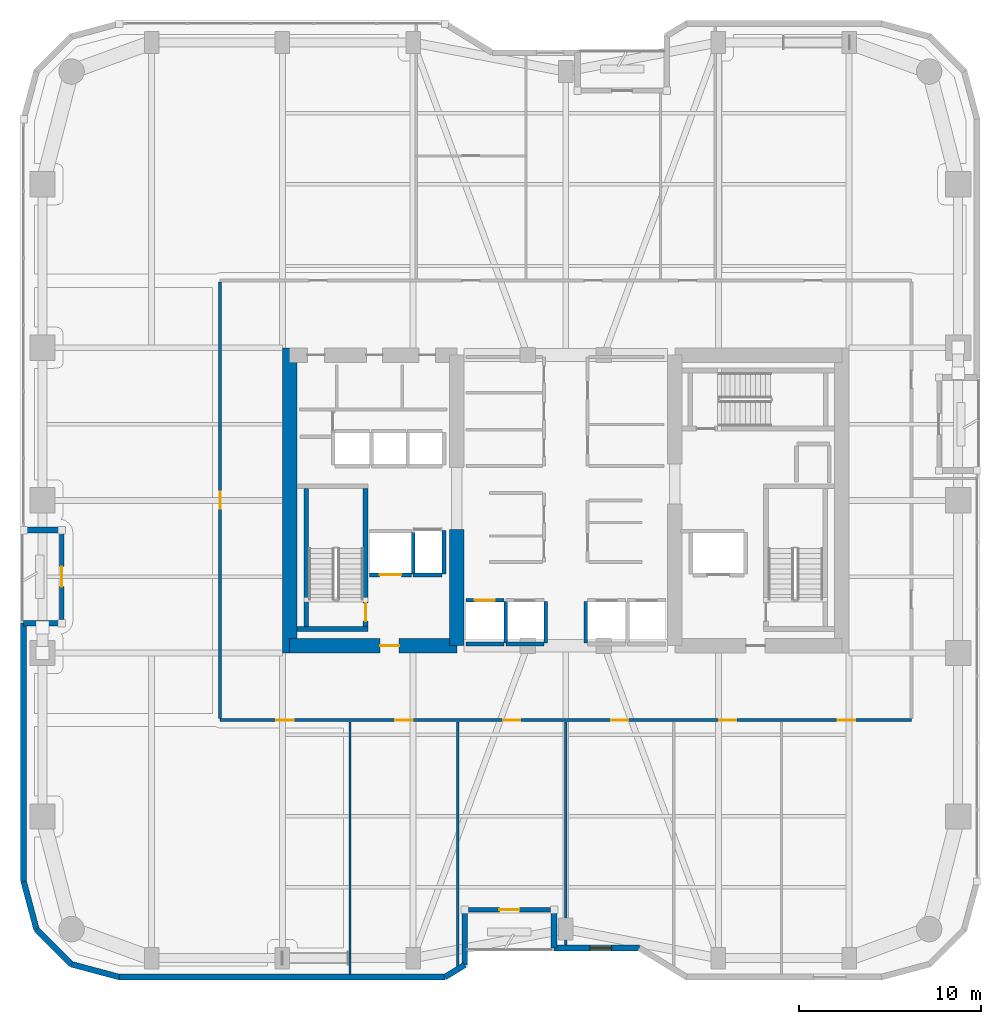
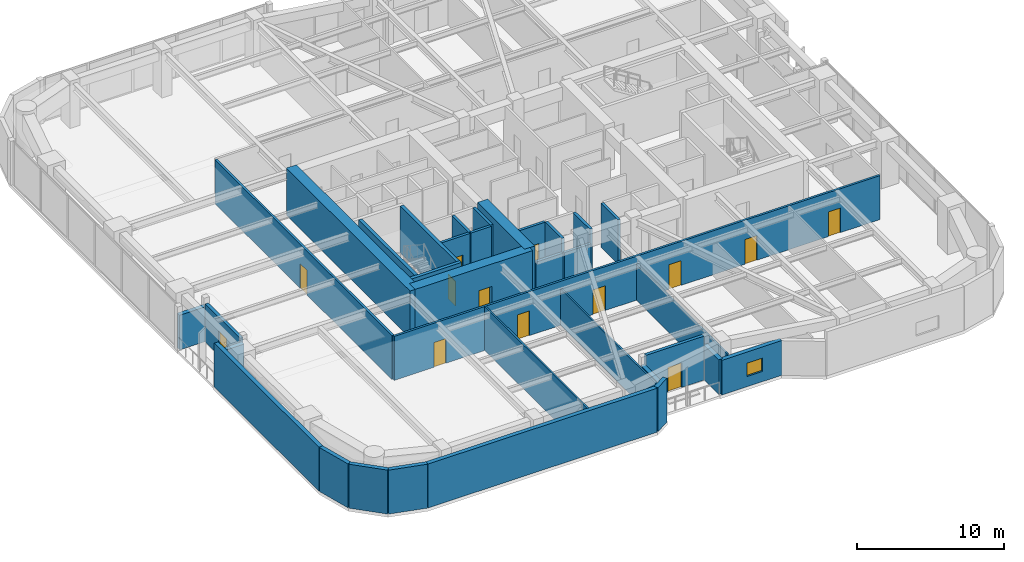
# One storey, part 18 of 24: 34 walls, 13 doors, 1 window, 14 openings.
"""IFC4 building model written with IfcOpenShell, lengths in metres."""

import ifcopenshell
import ifcopenshell.guid

model = None  # the IFC model being written
_history = None  # IfcOwnerHistory: only IFC2X3 demands one
_inside = {}  # id of a spatial element -> (the spatial element, [elements in it])
_under = {}  # id of a project, library or spatial element -> (it, [spatial elements below it])
_declared = {}  # id of a project -> (the project, [libraries it declares])
_typed = {}  # id of a type object -> (the type object, [elements of that type])
_made_of = {}  # id of a material, layer set ... -> (it, [elements and type objects made of it])


def new_model(schema):
    """Start an empty IFC model of exactly this schema.

    Asked for "IFC4X3", IfcOpenShell would pick the latest addendum, in which some entities
    have other attributes; the version numbers below select the first issue.
    IFC2X3 requires an IfcOwnerHistory on every rooted entity: one is made here for all.
    """
    global model, _history
    if schema == "IFC4X3":
        model = ifcopenshell.file(schema_version=(4, 3, 0, 0))
    else:
        model = ifcopenshell.file(schema=schema)
    _inside.clear()
    _under.clear()
    _declared.clear()
    _typed.clear()
    _made_of.clear()
    _history = None
    if model.schema == "IFC2X3":
        org = make("IfcOrganization", Name="unknown")
        user = make(
            "IfcPersonAndOrganization",
            ThePerson=make("IfcPerson", FamilyName="unknown"),
            TheOrganization=org,
        )
        app = make(
            "IfcApplication",
            ApplicationDeveloper=org,
            Version="unknown",
            ApplicationFullName="unknown",
            ApplicationIdentifier="unknown",
        )
        _history = make(
            "IfcOwnerHistory",
            OwningUser=user,
            OwningApplication=app,
            ChangeAction="ADDED",
            CreationDate=0,
        )
    return model


def make(cls, **values):
    """One entity of the class cls with the attributes given. An attribute that is None is left unset."""
    return model.create_entity(
        cls, **{name: value for name, value in values.items() if value is not None}
    )


def rooted(cls, **values):
    """An entity with a GlobalId (a new one), such as an element, a storey or a relation."""
    return make(cls, GlobalId=ifcopenshell.guid.new(), OwnerHistory=_history, **values)


def si_unit(unit_type, name, prefix=None):
    """IfcSIUnit, for example si_unit("LENGTHUNIT", "METRE", prefix="MILLI")."""
    return make("IfcSIUnit", UnitType=unit_type, Prefix=prefix, Name=name)


def assignment(units):
    """IfcUnitAssignment: the units of a project."""
    return None if units is None else make("IfcUnitAssignment", Units=units)


def point(xyz):
    """IfcCartesianPoint."""
    return None if xyz is None else make("IfcCartesianPoint", Coordinates=xyz)


def direction(xyz):
    """IfcDirection."""
    return None if xyz is None else make("IfcDirection", DirectionRatios=xyz)


def frame(location, z_axis=None, x_axis=None):
    """IfcAxis2Placement3D, a coordinate frame: its origin and axes. An axis left out is left unset."""
    return make(
        "IfcAxis2Placement3D",
        Location=point(location),
        Axis=direction(z_axis),
        RefDirection=direction(x_axis),
    )


def frame_2d(location, x_axis=None):
    """IfcAxis2Placement2D, a coordinate frame in the plane: its origin and x axis."""
    return make(
        "IfcAxis2Placement2D", Location=point(location), RefDirection=direction(x_axis)
    )


def origin():
    """The frame at (0, 0, 0) with its axes left unset."""
    return frame((0.0, 0.0, 0.0))


def place(relative_to, where):
    """IfcLocalPlacement: puts the frame where relative to a parent placement (None: the world)."""
    return make(
        "IfcLocalPlacement", PlacementRelTo=relative_to, RelativePlacement=where
    )


def context(
    kind, dimensions, precision=None, world=None, true_north=None, identifier=None
):
    """IfcGeometricRepresentationContext, for example the 3D "Model" context."""
    return make(
        "IfcGeometricRepresentationContext",
        ContextIdentifier=identifier,
        ContextType=kind,
        CoordinateSpaceDimension=dimensions,
        Precision=precision,
        WorldCoordinateSystem=world,
        TrueNorth=true_north,
    )


def subcontext(parent, identifier, kind, view, scale=None):
    """IfcGeometricRepresentationSubContext, for example "Body" below "Model"."""
    return make(
        "IfcGeometricRepresentationSubContext",
        ContextIdentifier=identifier,
        ContextType=kind,
        ParentContext=parent,
        TargetScale=scale,
        TargetView=view,
    )


def project(units=None, contexts=None):
    """IfcProject with its units and contexts."""
    return rooted(
        "IfcProject",
        Name="project",
        RepresentationContexts=contexts,
        UnitsInContext=assignment(units),
    )


def spatial(cls, under=None, at=None, **own):
    """A site, building, storey or space (cls), placed at a placement, below another one or the project."""
    s = rooted(cls, ObjectPlacement=at, **own)
    if under is not None:
        _under.setdefault(under.id(), (under, []))[1].append(s)
    return s


def profile(cls, at=None, kind="AREA", **sizes):
    """A parametric profile (cls). Its sizes go by their IFC names, for example OverallWidth=200.0."""
    return make(cls, ProfileType=kind, Position=at, **sizes)


def rectangle(**sizes):
    """IfcRectangleProfileDef."""
    return profile("IfcRectangleProfileDef", **sizes)


def extrude(swept, where, along, depth):
    """IfcExtrudedAreaSolid: the profile swept, set in the frame where, extruded along a direction by depth."""
    return make(
        "IfcExtrudedAreaSolid",
        SweptArea=swept,
        Position=where,
        ExtrudedDirection=direction(along),
        Depth=depth,
    )


def shape(context_of_items, identifier, shape_type, items):
    """IfcShapeRepresentation: the items that make up one representation, for example the "Body"."""
    return make(
        "IfcShapeRepresentation",
        ContextOfItems=context_of_items,
        RepresentationIdentifier=identifier,
        RepresentationType=shape_type,
        Items=items,
    )


def material(Name=None, Category=None):
    """IfcMaterial."""
    return make("IfcMaterial", Name=Name, Category=Category)


def layer(
    of_material, thickness, ventilated=None, Name=None, Category=None, Priority=None
):
    """IfcMaterialLayer: one layer of a wall or slab, of a material (None: an air gap)."""
    return make(
        "IfcMaterialLayer",
        Material=of_material,
        LayerThickness=thickness,
        IsVentilated=ventilated,
        Name=Name,
        Category=Category,
        Priority=Priority,
    )


def layer_set(layers, Name=None):
    """IfcMaterialLayerSet."""
    return make("IfcMaterialLayerSet", MaterialLayers=layers, LayerSetName=Name)


def made_of(thing, what):
    """Note that an element or type object is made of a material, layer set ...; save() writes the relation."""
    if what is not None:
        _made_of.setdefault(what.id(), (what, []))[1].append(thing)
    return thing


def type_object(cls, material=None, **own):
    """A type object (cls), such as IfcWallType, which elements share."""
    return made_of(rooted(cls, **own), material)


def element(
    cls,
    number,
    at=None,
    inside=None,
    cuts=None,
    type_object=None,
    material=None,
    context=None,
    identifier="Body",
    shape_type=None,
    held_by="IfcProductDefinitionShape",
    body=None,
    shapes=None,
    **own,
):
    """One element of the class cls, such as IfcWall. Its Tag is "e" and its number.

    at: its placement. inside: the storey or other place that contains it. cuts: it is an
    opening in that element (IfcRelVoidsElement). A single representation is given by context,
    identifier, shape_type and body (its items); several are given by shapes. held_by: the class
    of the entity that holds the representations. save() writes the other relations.
    """
    e = rooted(cls, Tag="e%d" % number, ObjectPlacement=at, **own)
    if body is not None:
        shapes = [shape(context, identifier, shape_type, body)]
    if shapes is not None:
        e.Representation = make(held_by, Representations=shapes)
    if inside is not None:
        _inside.setdefault(inside.id(), (inside, []))[1].append(e)
    if cuts is not None:
        rooted(
            "IfcRelVoidsElement", RelatingBuildingElement=cuts, RelatedOpeningElement=e
        )
    if type_object is not None:
        _typed.setdefault(type_object.id(), (type_object, []))[1].append(e)
    return made_of(e, material)


def fill(opening, filler):
    """IfcRelFillsElement: the door or window that sits in an opening."""
    return rooted(
        "IfcRelFillsElement",
        RelatingOpeningElement=opening,
        RelatedBuildingElement=filler,
    )


def aggregate(whole, parts):
    """IfcRelAggregates: a whole, such as a stair, and the parts it consists of."""
    return rooted("IfcRelAggregates", RelatingObject=whole, RelatedObjects=parts)


def save(model, path):
    """Write the relations noted so far, then the file.

    IfcRelAggregates (storeys below a building ...), IfcRelContainedInSpatialStructure (elements
    in a storey), IfcRelDefinesByType, IfcRelAssociatesMaterial and IfcRelDeclares: one each for
    every whole, place, type object, material and project.
    """
    for whole, parts in _under.values():
        aggregate(whole, parts)
    for where, things in _inside.values():
        rooted(
            "IfcRelContainedInSpatialStructure",
            RelatedElements=things,
            RelatingStructure=where,
        )
    for kind, things in _typed.values():
        rooted("IfcRelDefinesByType", RelatedObjects=things, RelatingType=kind)
    for what, things in _made_of.values():
        rooted("IfcRelAssociatesMaterial", RelatedObjects=things, RelatingMaterial=what)
    for by, libraries in _declared.values():
        rooted("IfcRelDeclares", RelatingContext=by, RelatedDefinitions=libraries)
    model.write(path)


model = new_model("IFC4")

# Units and contexts
model_context = context("Model", 3, precision=1e-05, world=origin(), true_north=direction((0.0, 1.0)))
body_context = subcontext(model_context, "Body", "Model", "MODEL_VIEW")
ifc_project = project(units=[si_unit("LENGTHUNIT", "METRE"), si_unit("AREAUNIT", "SQUARE_METRE"), si_unit("VOLUMEUNIT", "CUBIC_METRE"), si_unit("PLANEANGLEUNIT", "RADIAN"), si_unit("MASSUNIT", "GRAM", prefix="KILO")], contexts=[model_context])

# Site, building, storey
site_placement = place(None, origin())
site = spatial("IfcSite", under=ifc_project, at=site_placement, CompositionType="ELEMENT")
building_placement = place(site_placement, origin())
building = spatial("IfcBuilding", under=site, at=building_placement, Name="Kiyonajd Concourse Tower", CompositionType="ELEMENT")
storey_placement = place(building_placement, frame((0.0, 0.0, 97.5)))
storey = spatial("IfcBuildingStorey", under=building, at=storey_placement, Name="L25", CompositionType="ELEMENT", Elevation=97.5)

# Walls
ifc_material_1 = material(Name="Concrete C70/85", Category="concrete")
ifc_layer_1 = layer(ifc_material_1, 0.800048828125)
ifc_layer_set_1 = layer_set([ifc_layer_1], Name="Concrete C70/85")
wall_type_1 = type_object("IfcWallType", Name="WL-CORE-800", PredefinedType="SHEAR", material=ifc_layer_set_1)
wall_1_placement = place(storey_placement, frame((32.800048828125, 27.60009765625, 0.0), z_axis=(0.0, 0.0, 1.0), x_axis=(0.0, 1.0, 0.0)))
element("IfcWall", 1, at=wall_1_placement, inside=storey, type_object=wall_type_1, Name="L25 West Core Outer Shear Wall", PredefinedType="SHEAR", context=body_context, shape_type="SweptSolid", body=[
    extrude(rectangle(XDim=16.7998046875, YDim=0.800048828125, at=frame_2d((8.39990234375, 0.0))), origin(), (0.0, 0.0, 1.0), 3.89990234375),
])
wall_2_placement = place(storey_placement, frame((42.0, 28.0, 0.0), z_axis=(0.0, 0.0, 1.0), x_axis=(0.0, 1.0, 0.0)))
element("IfcWall", 2, at=wall_2_placement, inside=storey, type_object=wall_type_1, Name="L25 West Core Inner South Shear Wall", PredefinedType="SHEAR", context=body_context, shape_type="SweptSolid", body=[
    extrude(rectangle(XDim=6.39990234375, YDim=0.800048828125, at=frame_2d((3.199951171875, 0.0))), origin(), (0.0, 0.0, 1.0), 3.89990234375),
])

# Wall, opening, door
wall_3_placement = place(storey_placement, frame((32.800048828125, 28.0, 0.0), z_axis=(0.0, 0.0, 1.0), x_axis=(1.0, 0.0, 0.0)))
wall_3 = element("IfcWall", 3, at=wall_3_placement, inside=storey, type_object=wall_type_1, Name="L25 West Core South Shear Wall", PredefinedType="SHEAR", context=body_context, shape_type="SweptSolid", body=[
    extrude(rectangle(XDim=9.199951171875, YDim=0.800048828125, at=frame_2d((4.60009765625, 0.0))), origin(), (0.0, 0.0, 1.0), 3.89990234375),
])
opening_1_placement = place(wall_3_placement, frame((4.97509765625, 0.0, 0.0)))
opening_1 = element("IfcOpeningElement", 4, at=opening_1_placement, cuts=wall_3, Name="Opening DF5", PredefinedType="OPENING", context=body_context, shape_type="SweptSolid", body=[
    extrude(rectangle(XDim=1.050048828125, YDim=2.0400390625, at=frame_2d((0.52490234375, 1.02001953125))), frame((0.0, 0.409912109375, 0.0), z_axis=(0.0, -1.0, 0.0), x_axis=(1.0, 0.0, 0.0)), (0.0, 0.0, 1.0), 0.820068359375),
])
ifc_material_2 = material(Name="Brushed Stainless Steel Cab Assembly", Category="steel")
door_type_1 = type_object("IfcDoorType", Name="DR-FD45-1050", OperationType="NOTDEFINED", PredefinedType="DOOR", material=ifc_material_2)
door_1_placement = place(opening_1_placement, origin())
door_1 = element("IfcDoor", 5, at=door_1_placement, inside=storey, type_object=door_type_1, Name="L25 Firefighting Lift Lobby W Smoke Door", OperationType="SINGLE_SWING_LEFT", OverallHeight=2.0400390625, OverallWidth=1.050048828125, PredefinedType="DOOR", context=body_context, shape_type="SweptSolid", body=[
    extrude(rectangle(XDim=1.050048828125, YDim=2.0400390625, at=frame_2d((0.52490234375, 1.02001953125))), frame((0.0, 0.02490234375, 0.0), z_axis=(0.0, -1.0, 0.0), x_axis=(1.0, 0.0, 0.0)), (0.0, 0.0, 1.0), 0.050048828125),
])
fill(opening_1, door_1)

# Walls
ifc_material_3 = material(Name="Precast concrete C50/60", Category="concrete")
ifc_layer_2 = layer(ifc_material_3, 0.320068359375)
ifc_layer_set_2 = layer_set([ifc_layer_2], Name="Precast concrete C50/60")
wall_type_2 = type_object("IfcWallType", Name="WL-EXT-320", PredefinedType="SOLIDWALL", material=ifc_layer_set_2)
wall_4_placement = place(storey_placement, frame((18.866455078125, 12.3828125, 0.0), z_axis=(0.0, 0.0, 1.0), x_axis=(-0.25869736047, 0.965958423373, 0.0)))
element("IfcWall", 6, at=wall_4_placement, inside=storey, type_object=wall_type_2, Name="L25 Exterior Concrete Frame Wall 00", PredefinedType="SOLIDWALL", context=body_context, shape_type="SweptSolid", body=[
    extrude(rectangle(XDim=2.731201171875, YDim=0.320068359375, at=frame_2d((1.36572265625, 0.0))), origin(), (0.0, 0.0, 1.0), 3.639892578125),
])
wall_5_placement = place(storey_placement, frame((18.159912109375, 15.02099609375, 0.0), z_axis=(0.0, 0.0, 1.0), x_axis=(0.0, 1.0, 0.0)))
element("IfcWall", 7, at=wall_5_placement, inside=storey, type_object=wall_type_2, Name="L25 Exterior Concrete Frame Wall 01", PredefinedType="SOLIDWALL", context=body_context, shape_type="SweptSolid", body=[
    extrude(rectangle(XDim=14.218994140625, YDim=0.320068359375, at=frame_2d((7.109375, 0.0))), origin(), (0.0, 0.0, 1.0), 3.639892578125),
])
for number, where, z_axis, x_axis, name in (
    (8, (18.159912109375, 29.239990234375, 0.0), (0.0, 0.0, 1.0), (1.0, 0.0, 0.0), "L25 Exterior Concrete Frame Wall 02"),
    (9, (20.260009765625, 34.360107421875, 0.0), (0.0, 0.0, 1.0), (-1.0, 0.0, 0.0), "L25 Exterior Concrete Frame Wall 04"),
):
    element("IfcWall", number, at=place(storey_placement, frame(where, z_axis=z_axis, x_axis=x_axis)), inside=storey, type_object=wall_type_2, Name=name, PredefinedType="SOLIDWALL", context=body_context, shape_type="SweptSolid", body=[
        extrude(rectangle(XDim=2.10009765625, YDim=0.320068359375, at=frame_2d((1.050048828125, 0.0))), origin(), (0.0, 0.0, 1.0), 2.875),
    ])

# Wall, opening, window
wall_6_placement = place(storey_placement, frame((52.04541015625, 11.360107421875, 0.0), z_axis=(0.0, 0.0, 1.0), x_axis=(-1.0, 0.0, 0.0)))
wall_6 = element("IfcWall", 10, at=wall_6_placement, inside=storey, type_object=wall_type_2, Name="L25 Exterior Concrete Frame Wall 30", PredefinedType="SOLIDWALL", context=body_context, shape_type="SweptSolid", body=[
    extrude(rectangle(XDim=4.685302734375, YDim=0.320068359375, at=frame_2d((2.3427734375, 0.0))), origin(), (0.0, 0.0, 1.0), 2.875),
])
opening_2_placement = place(wall_6_placement, frame((1.51806640625, 0.0, 0.85009765625)))
opening_2 = element("IfcOpeningElement", 11, at=opening_2_placement, cuts=wall_6, Name="Opening WN3", PredefinedType="OPENING", context=body_context, shape_type="SweptSolid", body=[
    extrude(rectangle(XDim=1.199951171875, YDim=1.10009765625, at=frame_2d((0.60009765625, 0.550048828125))), frame((0.0, 0.169921875, 0.0), z_axis=(0.0, -1.0, 0.0), x_axis=(1.0, 0.0, 0.0)), (0.0, 0.0, 1.0), 0.340087890625),
])
ifc_material_4 = material(Name="Double Low-E Insulated Glass", Category="glass")
window_type = type_object("IfcWindowType", Name="WN-VIS-1200x1100", PartitioningType="SINGLE_PANEL", PredefinedType="WINDOW", material=ifc_material_4)
window_placement = place(opening_2_placement, origin())
window = element("IfcWindow", 12, at=window_placement, inside=storey, type_object=window_type, Name="L25 Modular Facade Vision Window 30", OverallHeight=1.10009765625, OverallWidth=1.199951171875, PartitioningType="SINGLE_PANEL", PredefinedType="WINDOW", context=body_context, shape_type="SweptSolid", body=[
    extrude(rectangle(XDim=1.199951171875, YDim=1.10009765625, at=frame_2d((0.60009765625, 0.550048828125))), frame((0.0, 0.030029296875, 0.0), z_axis=(0.0, -1.0, 0.0), x_axis=(1.0, 0.0, 0.0)), (0.0, 0.0, 1.0), 0.06005859375),
])
fill(opening_2, window)

# Walls
wall_7_placement = place(storey_placement, frame((47.360107421875, 11.360107421875, 0.0), z_axis=(0.0, 0.0, 1.0), x_axis=(0.0, 1.0, 0.0)))
element("IfcWall", 13, at=wall_7_placement, inside=storey, type_object=wall_type_2, Name="L25 Exterior Concrete Frame Wall 31", PredefinedType="SOLIDWALL", context=body_context, shape_type="SweptSolid", body=[
    extrude(rectangle(XDim=2.099853515625, YDim=0.320068359375, at=frame_2d((1.0498046875, 0.0))), origin(), (0.0, 0.0, 1.0), 2.875),
])
wall_8_placement = place(storey_placement, frame((42.43994140625, 13.4599609375, 0.0), z_axis=(0.0, 0.0, 1.0), x_axis=(0.0, -1.0, 0.0)))
element("IfcWall", 14, at=wall_8_placement, inside=storey, type_object=wall_type_2, Name="L25 Exterior Concrete Frame Wall 33", PredefinedType="SOLIDWALL", context=body_context, shape_type="SweptSolid", body=[
    extrude(rectangle(XDim=3.032470703125, YDim=0.320068359375, at=frame_2d((1.51611328125, 0.0))), origin(), (0.0, 0.0, 1.0), 2.875),
])
wall_9_placement = place(storey_placement, frame((42.43994140625, 10.427490234375, 0.0), z_axis=(0.0, 0.0, 1.0), x_axis=(-0.851776724646, -0.523904964045, 0.0)))
element("IfcWall", 15, at=wall_9_placement, inside=storey, type_object=wall_type_2, Name="L25 Exterior Concrete Frame Wall 34", PredefinedType="SOLIDWALL", context=body_context, shape_type="SweptSolid", body=[
    extrude(rectangle(XDim=1.274169921875, YDim=0.320068359375, at=frame_2d((0.63720703125, 0.0))), origin(), (0.0, 0.0, 1.0), 3.639892578125),
])
wall_10_placement = place(storey_placement, frame((41.354736328125, 9.760009765625, 0.0), z_axis=(0.0, 0.0, 1.0), x_axis=(-1.0, 0.0, 0.0)))
element("IfcWall", 16, at=wall_10_placement, inside=storey, type_object=wall_type_2, Name="L25 Exterior Concrete Frame Wall 35", PredefinedType="SOLIDWALL", context=body_context, shape_type="SweptSolid", body=[
    extrude(rectangle(XDim=17.93359375, YDim=0.320068359375, at=frame_2d((8.966796875, 0.0))), origin(), (0.0, 0.0, 1.0), 3.639892578125),
])
wall_11_placement = place(storey_placement, frame((23.421142578125, 9.760009765625, 0.0), z_axis=(0.0, 0.0, 1.0), x_axis=(-0.965964405026, 0.25867502435, 0.0)))
element("IfcWall", 17, at=wall_11_placement, inside=storey, type_object=wall_type_2, Name="L25 Exterior Concrete Frame Wall 36", PredefinedType="SOLIDWALL", context=body_context, shape_type="SweptSolid", body=[
    extrude(rectangle(XDim=2.7314453125, YDim=0.320068359375, at=frame_2d((1.36572265625, 0.0))), origin(), (0.0, 0.0, 1.0), 3.639892578125),
])
wall_12_placement = place(storey_placement, frame((20.78271484375, 10.466552734375, 0.0), z_axis=(0.0, 0.0, 1.0), x_axis=(-0.707106781187, 0.707106781187, 0.0)))
element("IfcWall", 18, at=wall_12_placement, inside=storey, type_object=wall_type_2, Name="L25 Exterior Concrete Frame Wall 37", PredefinedType="SOLIDWALL", context=body_context, shape_type="SweptSolid", body=[
    extrude(rectangle(XDim=2.7099609375, YDim=0.320068359375, at=frame_2d((1.35498046875, 0.0))), origin(), (0.0, 0.0, 1.0), 3.639892578125),
])

# Wall, opening, door
ifc_layer_3 = layer(ifc_material_3, 0.239990234375)
ifc_layer_set_3 = layer_set([ifc_layer_3], Name="Precast concrete C50/60")
wall_type_3 = type_object("IfcWallType", Name="WL-LOG-240", PredefinedType="SOLIDWALL", material=ifc_layer_set_3)
wall_13_placement = place(storey_placement, frame((20.260009765625, 29.43505859375, 0.0), z_axis=(0.0, 0.0, 1.0), x_axis=(0.0, 1.0, 0.0)))
wall_13 = element("IfcWall", 19, at=wall_13_placement, inside=storey, type_object=wall_type_3, Name="L25 Recessed Loggia Thermal Wall LOG-W", PredefinedType="SOLIDWALL", context=body_context, shape_type="SweptSolid", body=[
    extrude(rectangle(XDim=4.72998046875, YDim=0.239990234375, at=frame_2d((2.364990234375, 0.0))), origin(), (0.0, 0.0, 1.0), 3.162109375),
])
opening_3_placement = place(wall_13_placement, frame((1.81494140625, 0.0, 0.0)))
opening_3 = element("IfcOpeningElement", 20, at=opening_3_placement, cuts=wall_13, Name="Opening DL2", PredefinedType="OPENING", context=body_context, shape_type="SweptSolid", body=[
    extrude(rectangle(XDim=1.10009765625, YDim=2.0400390625, at=frame_2d((0.550048828125, 1.02001953125))), frame((0.0, 0.1298828125, 0.0), z_axis=(0.0, -1.0, 0.0), x_axis=(1.0, 0.0, 0.0)), (0.0, 0.0, 1.0), 0.260009765625),
])
ifc_material_5 = material(Name="Thermally Broken Anodised Aluminium", Category="aluminium")
door_type_2 = type_object("IfcDoorType", Name="DR-LOG-1100", OperationType="NOTDEFINED", PredefinedType="DOOR", material=ifc_material_5)
door_2_placement = place(opening_3_placement, origin())
door_2 = element("IfcDoor", 21, at=door_2_placement, inside=storey, type_object=door_type_2, Name="L25 Engawa Loggia Access Door LOG-W", OperationType="SINGLE_SWING_LEFT", OverallHeight=2.0400390625, OverallWidth=1.10009765625, PredefinedType="DOOR", context=body_context, shape_type="SweptSolid", body=[
    extrude(rectangle(XDim=1.10009765625, YDim=2.0400390625, at=frame_2d((0.550048828125, 1.02001953125))), frame((0.0, 0.02490234375, 0.0), z_axis=(0.0, -1.0, 0.0), x_axis=(1.0, 0.0, 0.0)), (0.0, 0.0, 1.0), 0.050048828125),
])
fill(opening_3, door_2)

wall_14_placement = place(storey_placement, frame((47.1650390625, 13.4599609375, 0.0), z_axis=(0.0, 0.0, 1.0), x_axis=(-1.0, 0.0, 0.0)))
wall_14 = element("IfcWall", 22, at=wall_14_placement, inside=storey, type_object=wall_type_3, Name="L25 Recessed Loggia Thermal Wall LOG-S", PredefinedType="SOLIDWALL", context=body_context, shape_type="SweptSolid", body=[
    extrude(rectangle(XDim=4.530029296875, YDim=0.239990234375, at=frame_2d((2.26513671875, 0.0))), origin(), (0.0, 0.0, 1.0), 3.639892578125),
])
opening_4_placement = place(wall_14_placement, frame((1.715087890625, 0.0, 0.0)))
opening_4 = element("IfcOpeningElement", 23, at=opening_4_placement, cuts=wall_14, Name="Opening DL2", PredefinedType="OPENING", context=body_context, shape_type="SweptSolid", body=[
    extrude(rectangle(XDim=1.10009765625, YDim=2.0400390625, at=frame_2d((0.550048828125, 1.02001953125))), frame((0.0, 0.1298828125, 0.0), z_axis=(0.0, -1.0, 0.0), x_axis=(1.0, 0.0, 0.0)), (0.0, 0.0, 1.0), 0.260009765625),
])
door_3_placement = place(opening_4_placement, origin())
door_3 = element("IfcDoor", 24, at=door_3_placement, inside=storey, type_object=door_type_2, Name="L25 Engawa Loggia Access Door LOG-S", OperationType="SINGLE_SWING_RIGHT", OverallHeight=2.0400390625, OverallWidth=1.10009765625, PredefinedType="DOOR", context=body_context, shape_type="SweptSolid", body=[
    extrude(rectangle(XDim=1.10009765625, YDim=2.0400390625, at=frame_2d((0.550048828125, 1.02001953125))), frame((0.0, 0.02490234375, 0.0), z_axis=(0.0, -1.0, 0.0), x_axis=(1.0, 0.0, 0.0)), (0.0, 0.0, 1.0), 0.050048828125),
])
fill(opening_4, door_3)

# Walls
ifc_material_6 = material(Name="Gypsum Board on Cold-Formed Steel Stud", Category="steel")
ifc_layer_4 = layer(ifc_material_6, 0.125)
ifc_layer_set_4 = layer_set([ifc_layer_4], Name="Gypsum Board on Cold-Formed Steel Stud")
wall_type_4 = type_object("IfcWallType", Name="WL-PART-125", PredefinedType="PARTITIONING", material=ifc_layer_set_4)
wall_15_placement = place(storey_placement, frame((36.1201171875, 9.9150390625, 0.0), z_axis=(0.0, 0.0, 1.0), x_axis=(0.0, 1.0, 0.0)))
element("IfcWall", 25, at=wall_15_placement, inside=storey, type_object=wall_type_4, Name="L25 Interior Partition Wall", PredefinedType="PARTITIONING", context=body_context, shape_type="SweptSolid", body=[
    extrude(rectangle(XDim=13.89794921875, YDim=0.125, at=frame_2d((6.948974609375, 0.0))), origin(), (0.0, 0.0, 1.0), 3.639892578125),
])
wall_16_placement = place(storey_placement, frame((42.06005859375, 10.34912109375, 0.0), z_axis=(0.0, 0.0, 1.0), x_axis=(0.0, 1.0, 0.0)))
element("IfcWall", 26, at=wall_16_placement, inside=storey, type_object=wall_type_4, Name="L25 Interior Partition Wall", PredefinedType="PARTITIONING", context=body_context, shape_type="SweptSolid", body=[
    extrude(rectangle(XDim=13.4638671875, YDim=0.125, at=frame_2d((6.73193359375, 0.0))), origin(), (0.0, 0.0, 1.0), 3.0029296875),
])
wall_17_placement = place(storey_placement, frame((48.0, 11.514892578125, 0.0), z_axis=(0.0, 0.0, 1.0), x_axis=(0.0, 1.0, 0.0)))
element("IfcWall", 27, at=wall_17_placement, inside=storey, type_object=wall_type_4, Name="L25 Interior Partition Wall", PredefinedType="PARTITIONING", context=body_context, shape_type="SweptSolid", body=[
    extrude(rectangle(XDim=12.298095703125, YDim=0.125, at=frame_2d((6.14892578125, 0.0))), origin(), (0.0, 0.0, 1.0), 3.0029296875),
])

# Wall, opening, door
ifc_layer_5 = layer(ifc_material_6, 0.2099609375)
ifc_layer_set_5 = layer_set([ifc_layer_5], Name="Gypsum Board on Cold-Formed Steel Stud")
wall_type_5 = type_object("IfcWallType", Name="WL-SHAFT-210", PredefinedType="PARTITIONING", material=ifc_layer_set_5)
wall_18_placement = place(storey_placement, frame((37.199951171875, 31.89990234375, 0.0), z_axis=(0.0, 0.0, 1.0), x_axis=(1.0, 0.0, 0.0)))
wall_18 = element("IfcWall", 28, at=wall_18_placement, inside=storey, type_object=wall_type_5, Name="L25 Shaft Enclosure Wall", PredefinedType="PARTITIONING", context=body_context, shape_type="SweptSolid", body=[
    extrude(rectangle(XDim=2.300048828125, YDim=0.2099609375, at=frame_2d((1.14990234375, 0.0))), origin(), (0.0, 0.0, 1.0), 3.639892578125),
])
opening_5_placement = place(wall_18_placement, frame((0.550048828125, 0.0, 0.0)))
opening_5 = element("IfcOpeningElement", 29, at=opening_5_placement, cuts=wall_18, Name="Opening LD2", PredefinedType="OPENING", context=body_context, shape_type="SweptSolid", body=[
    extrude(rectangle(XDim=1.199951171875, YDim=2.0400390625, at=frame_2d((0.60009765625, 1.02001953125))), frame((0.0, 0.114990234375, 0.0), z_axis=(0.0, -1.0, 0.0), x_axis=(1.0, 0.0, 0.0)), (0.0, 0.0, 1.0), 0.22998046875),
])
door_type_3 = type_object("IfcDoorType", Name="DR-LD-1200", OperationType="DOUBLE_DOOR_SLIDING", PredefinedType="DOOR", material=ifc_material_2)
door_4_placement = place(opening_5_placement, origin())
door_4 = element("IfcDoor", 30, at=door_4_placement, inside=storey, type_object=door_type_3, Name="L25 Lift FFL1 Sliding Landing Door", OperationType="DOUBLE_DOOR_SLIDING", OverallHeight=2.0400390625, OverallWidth=1.199951171875, PredefinedType="DOOR", context=body_context, shape_type="SweptSolid", body=[
    extrude(rectangle(XDim=1.199951171875, YDim=2.0400390625, at=frame_2d((0.60009765625, 1.02001953125))), frame((0.0, 0.02490234375, 0.0), z_axis=(0.0, -1.0, 0.0), x_axis=(1.0, 0.0, 0.0)), (0.0, 0.0, 1.0), 0.050048828125),
])
fill(opening_5, door_4)

# Walls
wall_19_placement = place(storey_placement, frame((39.60009765625, 31.9599609375, 0.0), z_axis=(0.0, 0.0, 1.0), x_axis=(0.0, 1.0, 0.0)))
element("IfcWall", 31, at=wall_19_placement, inside=storey, type_object=wall_type_5, Name="L25 Shaft Enclosure Wall", PredefinedType="PARTITIONING", context=body_context, shape_type="SweptSolid", body=[
    extrude(rectangle(XDim=2.280029296875, YDim=0.2099609375, at=frame_2d((1.14013671875, 0.0))), origin(), (0.0, 0.0, 1.0), 3.639892578125),
])
wall_20_placement = place(storey_placement, frame((39.60009765625, 31.89990234375, 0.0), z_axis=(0.0, 0.0, 1.0), x_axis=(1.0, 0.0, 0.0)))
element("IfcWall", 32, at=wall_20_placement, inside=storey, type_object=wall_type_5, Name="L25 Shaft Enclosure Wall", PredefinedType="PARTITIONING", context=body_context, shape_type="SweptSolid", body=[
    extrude(rectangle(XDim=1.599853515625, YDim=0.2099609375, at=frame_2d((0.7998046875, 0.0))), origin(), (0.0, 0.0, 1.0), 3.639892578125),
])
wall_21_placement = place(storey_placement, frame((41.300048828125, 31.9599609375, 0.0), z_axis=(0.0, 0.0, 1.0), x_axis=(0.0, 1.0, 0.0)))
element("IfcWall", 33, at=wall_21_placement, inside=storey, type_object=wall_type_5, Name="L25 Shaft Enclosure Wall", PredefinedType="PARTITIONING", context=body_context, shape_type="SweptSolid", body=[
    extrude(rectangle(XDim=2.380126953125, YDim=0.2099609375, at=frame_2d((1.18994140625, 0.0))), origin(), (0.0, 0.0, 1.0), 3.639892578125),
])

# Wall, opening, door
wall_22_placement = place(storey_placement, frame((42.5, 30.5, 0.0), z_axis=(0.0, 0.0, 1.0), x_axis=(1.0, 0.0, 0.0)))
wall_22 = element("IfcWall", 34, at=wall_22_placement, inside=storey, type_object=wall_type_5, Name="L25 Shaft Enclosure Wall", PredefinedType="PARTITIONING", context=body_context, shape_type="SweptSolid", body=[
    extrude(rectangle(XDim=2.10009765625, YDim=0.2099609375, at=frame_2d((1.050048828125, 0.0))), origin(), (0.0, 0.0, 1.0), 3.639892578125),
])
opening_6_placement = place(wall_22_placement, frame((0.5, 0.0, 0.0)))
opening_6 = element("IfcOpeningElement", 35, at=opening_6_placement, cuts=wall_22, Name="Opening LD1", PredefinedType="OPENING", context=body_context, shape_type="SweptSolid", body=[
    extrude(rectangle(XDim=1.10009765625, YDim=2.0400390625, at=frame_2d((0.550048828125, 1.02001953125))), frame((0.0, 0.114990234375, 0.0), z_axis=(0.0, -1.0, 0.0), x_axis=(1.0, 0.0, 0.0)), (0.0, 0.0, 1.0), 0.22998046875),
])
door_type_4 = type_object("IfcDoorType", Name="DR-LD-1100", OperationType="DOUBLE_DOOR_SLIDING", PredefinedType="DOOR", material=ifc_material_2)
door_5_placement = place(opening_6_placement, origin())
door_5 = element("IfcDoor", 36, at=door_5_placement, inside=storey, type_object=door_type_4, Name="L25 Lift PL-L1 Sliding Landing Door", OperationType="DOUBLE_DOOR_SLIDING", OverallHeight=2.0400390625, OverallWidth=1.10009765625, PredefinedType="DOOR", context=body_context, shape_type="SweptSolid", body=[
    extrude(rectangle(XDim=1.10009765625, YDim=2.0400390625, at=frame_2d((0.550048828125, 1.02001953125))), frame((0.0, 0.02490234375, 0.0), z_axis=(0.0, -1.0, 0.0), x_axis=(1.0, 0.0, 0.0)), (0.0, 0.0, 1.0), 0.050048828125),
])
fill(opening_6, door_5)

# Walls
wall_23_placement = place(storey_placement, frame((42.5, 28.10009765625, 0.0), z_axis=(0.0, 0.0, 1.0), x_axis=(1.0, 0.0, 0.0)))
element("IfcWall", 37, at=wall_23_placement, inside=storey, type_object=wall_type_5, Name="L25 Shaft Enclosure Wall", PredefinedType="PARTITIONING", context=body_context, shape_type="SweptSolid", body=[
    extrude(rectangle(XDim=2.10009765625, YDim=0.2099609375, at=frame_2d((1.050048828125, 0.0))), origin(), (0.0, 0.0, 1.0), 2.52490234375),
])
wall_24_placement = place(storey_placement, frame((44.699951171875, 28.159912109375, 0.0), z_axis=(0.0, 0.0, 1.0), x_axis=(0.0, 1.0, 0.0)))
element("IfcWall", 38, at=wall_24_placement, inside=storey, type_object=wall_type_5, Name="L25 Shaft Enclosure Wall", PredefinedType="PARTITIONING", context=body_context, shape_type="SweptSolid", body=[
    extrude(rectangle(XDim=2.280029296875, YDim=0.2099609375, at=frame_2d((1.14013671875, 0.0))), origin(), (0.0, 0.0, 1.0), 3.639892578125),
])
wall_25_placement = place(storey_placement, frame((44.699951171875, 28.10009765625, 0.0), z_axis=(0.0, 0.0, 1.0), x_axis=(1.0, 0.0, 0.0)))
element("IfcWall", 39, at=wall_25_placement, inside=storey, type_object=wall_type_5, Name="L25 Shaft Enclosure Wall", PredefinedType="PARTITIONING", context=body_context, shape_type="SweptSolid", body=[
    extrude(rectangle(XDim=2.10009765625, YDim=0.2099609375, at=frame_2d((1.050048828125, 0.0))), origin(), (0.0, 0.0, 1.0), 2.52490234375),
])
for number, where, z_axis, x_axis, name in (
    (40, (46.89990234375, 28.159912109375, 0.0), (0.0, 0.0, 1.0), (0.0, 1.0, 0.0), "L25 Shaft Enclosure Wall"),
    (41, (49.10009765625, 28.159912109375, 0.0), (0.0, 0.0, 1.0), (0.0, 1.0, 0.0), "L25 Shaft Enclosure Wall"),
):
    element("IfcWall", number, at=place(storey_placement, frame(where, z_axis=z_axis, x_axis=x_axis)), inside=storey, type_object=wall_type_5, Name=name, PredefinedType="PARTITIONING", context=body_context, shape_type="SweptSolid", body=[
        extrude(rectangle(XDim=2.280029296875, YDim=0.2099609375, at=frame_2d((1.14013671875, 0.0))), origin(), (0.0, 0.0, 1.0), 3.639892578125),
    ])

# Wall, openings, doors
ifc_layer_6 = layer(ifc_material_6, 0.169921875)
ifc_layer_set_6 = layer_set([ifc_layer_6], Name="Gypsum Board on Cold-Formed Steel Stud")
wall_type_6 = type_object("IfcWallType", Name="WL-SMK-170", PredefinedType="PARTITIONING", material=ifc_layer_set_6)
wall_26_placement = place(storey_placement, frame((28.97509765625, 23.89990234375, 0.0), z_axis=(0.0, 0.0, 1.0), x_axis=(1.0, 0.0, 0.0)))
wall_26 = element("IfcWall", 42, at=wall_26_placement, inside=storey, type_object=wall_type_6, Name="L25 Interior Partition Wall", PredefinedType="PARTITIONING", context=body_context, shape_type="SweptSolid", body=[
    extrude(rectangle(XDim=38.0498046875, YDim=0.169921875, at=frame_2d((19.02490234375, 0.0))), origin(), (0.0, 0.0, 1.0), 3.639892578125),
])
opening_7_placement = place(wall_26_placement, frame((3.096923828125, 0.0, 0.0)))
opening_7 = element("IfcOpeningElement", 43, at=opening_7_placement, cuts=wall_26, Name="Opening DI1", PredefinedType="OPENING", context=body_context, shape_type="SweptSolid", body=[
    extrude(rectangle(XDim=0.949951171875, YDim=2.0400390625, at=frame_2d((0.47509765625, 1.02001953125))), frame((0.0, 0.094970703125, 0.0), z_axis=(0.0, -1.0, 0.0), x_axis=(1.0, 0.0, 0.0)), (0.0, 0.0, 1.0), 0.18994140625),
])
opening_8_placement = place(wall_26_placement, frame((9.639892578125, 0.0, 0.0)))
opening_8 = element("IfcOpeningElement", 44, at=opening_8_placement, cuts=wall_26, Name="Opening DI1", PredefinedType="OPENING", context=body_context, shape_type="SweptSolid", body=[
    extrude(rectangle(XDim=0.949951171875, YDim=2.0400390625, at=frame_2d((0.47509765625, 1.02001953125))), frame((0.0, 0.094970703125, 0.0), z_axis=(0.0, -1.0, 0.0), x_axis=(1.0, 0.0, 0.0)), (0.0, 0.0, 1.0), 0.18994140625),
])
opening_9_placement = place(wall_26_placement, frame((15.580078125, 0.0, 0.0)))
opening_9 = element("IfcOpeningElement", 45, at=opening_9_placement, cuts=wall_26, Name="Opening DI1", PredefinedType="OPENING", context=body_context, shape_type="SweptSolid", body=[
    extrude(rectangle(XDim=0.949951171875, YDim=2.0400390625, at=frame_2d((0.47509765625, 1.02001953125))), frame((0.0, 0.094970703125, 0.0), z_axis=(0.0, -1.0, 0.0), x_axis=(1.0, 0.0, 0.0)), (0.0, 0.0, 1.0), 0.18994140625),
])
opening_10_placement = place(wall_26_placement, frame((21.52001953125, 0.0, 0.0)))
opening_10 = element("IfcOpeningElement", 46, at=opening_10_placement, cuts=wall_26, Name="Opening DI1", PredefinedType="OPENING", context=body_context, shape_type="SweptSolid", body=[
    extrude(rectangle(XDim=0.949951171875, YDim=2.0400390625, at=frame_2d((0.47509765625, 1.02001953125))), frame((0.0, 0.094970703125, 0.0), z_axis=(0.0, -1.0, 0.0), x_axis=(1.0, 0.0, 0.0)), (0.0, 0.0, 1.0), 0.18994140625),
])
opening_11_placement = place(wall_26_placement, frame((27.4599609375, 0.0, 0.0)))
opening_11 = element("IfcOpeningElement", 47, at=opening_11_placement, cuts=wall_26, Name="Opening DI1", PredefinedType="OPENING", context=body_context, shape_type="SweptSolid", body=[
    extrude(rectangle(XDim=0.949951171875, YDim=2.0400390625, at=frame_2d((0.47509765625, 1.02001953125))), frame((0.0, 0.094970703125, 0.0), z_axis=(0.0, -1.0, 0.0), x_axis=(1.0, 0.0, 0.0)), (0.0, 0.0, 1.0), 0.18994140625),
])
opening_12_placement = place(wall_26_placement, frame((34.0029296875, 0.0, 0.0)))
opening_12 = element("IfcOpeningElement", 48, at=opening_12_placement, cuts=wall_26, Name="Opening DI1", PredefinedType="OPENING", context=body_context, shape_type="SweptSolid", body=[
    extrude(rectangle(XDim=0.949951171875, YDim=2.0400390625, at=frame_2d((0.47509765625, 1.02001953125))), frame((0.0, 0.094970703125, 0.0), z_axis=(0.0, -1.0, 0.0), x_axis=(1.0, 0.0, 0.0)), (0.0, 0.0, 1.0), 0.18994140625),
])
ifc_material_7 = material(Name="Natural Oak Acoustic Timber Veneer", Category="wood")
door_type_5 = type_object("IfcDoorType", Name="DR-INT-950", OperationType="NOTDEFINED", PredefinedType="DOOR", material=ifc_material_7)
door_6_placement = place(opening_7_placement, origin())
door_6 = element("IfcDoor", 49, at=door_6_placement, inside=storey, type_object=door_type_5, Name="L25 Interior Door", OperationType="SINGLE_SWING_RIGHT", OverallHeight=2.0400390625, OverallWidth=0.949951171875, PredefinedType="DOOR", context=body_context, shape_type="SweptSolid", body=[
    extrude(rectangle(XDim=0.949951171875, YDim=2.0400390625, at=frame_2d((0.47509765625, 1.02001953125))), frame((0.0, 0.02490234375, 0.0), z_axis=(0.0, -1.0, 0.0), x_axis=(1.0, 0.0, 0.0)), (0.0, 0.0, 1.0), 0.050048828125),
])
fill(opening_7, door_6)
door_7_placement = place(opening_8_placement, origin())
door_7 = element("IfcDoor", 50, at=door_7_placement, inside=storey, type_object=door_type_5, Name="L25 Interior Door", OperationType="SINGLE_SWING_LEFT", OverallHeight=2.0400390625, OverallWidth=0.949951171875, PredefinedType="DOOR", context=body_context, shape_type="SweptSolid", body=[
    extrude(rectangle(XDim=0.949951171875, YDim=2.0400390625, at=frame_2d((0.47509765625, 1.02001953125))), frame((0.0, 0.02490234375, 0.0), z_axis=(0.0, -1.0, 0.0), x_axis=(1.0, 0.0, 0.0)), (0.0, 0.0, 1.0), 0.050048828125),
])
fill(opening_8, door_7)
door_8_placement = place(opening_9_placement, origin())
door_8 = element("IfcDoor", 51, at=door_8_placement, inside=storey, type_object=door_type_5, Name="L25 Interior Door", OperationType="SINGLE_SWING_RIGHT", OverallHeight=2.0400390625, OverallWidth=0.949951171875, PredefinedType="DOOR", context=body_context, shape_type="SweptSolid", body=[
    extrude(rectangle(XDim=0.949951171875, YDim=2.0400390625, at=frame_2d((0.47509765625, 1.02001953125))), frame((0.0, 0.02490234375, 0.0), z_axis=(0.0, -1.0, 0.0), x_axis=(1.0, 0.0, 0.0)), (0.0, 0.0, 1.0), 0.050048828125),
])
fill(opening_9, door_8)
door_9_placement = place(opening_10_placement, origin())
door_9 = element("IfcDoor", 52, at=door_9_placement, inside=storey, type_object=door_type_5, Name="L25 Interior Door", OperationType="SINGLE_SWING_LEFT", OverallHeight=2.0400390625, OverallWidth=0.949951171875, PredefinedType="DOOR", context=body_context, shape_type="SweptSolid", body=[
    extrude(rectangle(XDim=0.949951171875, YDim=2.0400390625, at=frame_2d((0.47509765625, 1.02001953125))), frame((0.0, 0.02490234375, 0.0), z_axis=(0.0, -1.0, 0.0), x_axis=(1.0, 0.0, 0.0)), (0.0, 0.0, 1.0), 0.050048828125),
])
fill(opening_10, door_9)
door_10_placement = place(opening_11_placement, origin())
door_10 = element("IfcDoor", 53, at=door_10_placement, inside=storey, type_object=door_type_5, Name="L25 Interior Door", OperationType="SINGLE_SWING_RIGHT", OverallHeight=2.0400390625, OverallWidth=0.949951171875, PredefinedType="DOOR", context=body_context, shape_type="SweptSolid", body=[
    extrude(rectangle(XDim=0.949951171875, YDim=2.0400390625, at=frame_2d((0.47509765625, 1.02001953125))), frame((0.0, 0.02490234375, 0.0), z_axis=(0.0, -1.0, 0.0), x_axis=(1.0, 0.0, 0.0)), (0.0, 0.0, 1.0), 0.050048828125),
])
fill(opening_11, door_10)
door_11_placement = place(opening_12_placement, origin())
door_11 = element("IfcDoor", 54, at=door_11_placement, inside=storey, type_object=door_type_5, Name="L25 Interior Door", OperationType="SINGLE_SWING_LEFT", OverallHeight=2.0400390625, OverallWidth=0.949951171875, PredefinedType="DOOR", context=body_context, shape_type="SweptSolid", body=[
    extrude(rectangle(XDim=0.949951171875, YDim=2.0400390625, at=frame_2d((0.47509765625, 1.02001953125))), frame((0.0, 0.02490234375, 0.0), z_axis=(0.0, -1.0, 0.0), x_axis=(1.0, 0.0, 0.0)), (0.0, 0.0, 1.0), 0.050048828125),
])
fill(opening_12, door_11)

# Wall, opening, door
wall_27_placement = place(storey_placement, frame((28.97509765625, 23.987060546875, 0.0), z_axis=(0.0, 0.0, 1.0), x_axis=(0.0, 1.0, 0.0)))
wall_27 = element("IfcWall", 55, at=wall_27_placement, inside=storey, type_object=wall_type_6, Name="L25 Interior Partition Wall", PredefinedType="PARTITIONING", context=body_context, shape_type="SweptSolid", body=[
    extrude(rectangle(XDim=24.02587890625, YDim=0.169921875, at=frame_2d((12.012939453125, 0.0))), origin(), (0.0, 0.0, 1.0), 3.639892578125),
])
opening_13_placement = place(wall_27_placement, frame((11.5380859375, 0.0, 0.0)))
opening_13 = element("IfcOpeningElement", 56, at=opening_13_placement, cuts=wall_27, Name="Opening DI1", PredefinedType="OPENING", context=body_context, shape_type="SweptSolid", body=[
    extrude(rectangle(XDim=0.949951171875, YDim=2.0400390625, at=frame_2d((0.47509765625, 1.02001953125))), frame((0.0, 0.094970703125, 0.0), z_axis=(0.0, -1.0, 0.0), x_axis=(1.0, 0.0, 0.0)), (0.0, 0.0, 1.0), 0.18994140625),
])
door_12_placement = place(opening_13_placement, origin())
door_12 = element("IfcDoor", 57, at=door_12_placement, inside=storey, type_object=door_type_5, Name="L25 Interior Door", OperationType="SINGLE_SWING_RIGHT", OverallHeight=2.0400390625, OverallWidth=0.949951171875, PredefinedType="DOOR", context=body_context, shape_type="SweptSolid", body=[
    extrude(rectangle(XDim=0.949951171875, YDim=2.0400390625, at=frame_2d((0.47509765625, 1.02001953125))), frame((0.0, 0.02490234375, 0.0), z_axis=(0.0, -1.0, 0.0), x_axis=(1.0, 0.0, 0.0)), (0.0, 0.0, 1.0), 0.050048828125),
])
fill(opening_13, door_12)

# Walls
ifc_material_8 = material(Name="Concrete C50/60", Category="concrete")
ifc_layer_7 = layer(ifc_material_8, 0.260009765625)
ifc_layer_set_7 = layer_set([ifc_layer_7], Name="Concrete C50/60")
wall_type_7 = type_object("IfcWallType", Name="WL-STAIR-260", PredefinedType="SHEAR", material=ifc_layer_set_7)
wall_28_placement = place(storey_placement, frame((33.199951171875, 28.919921875, 0.0), z_axis=(0.0, 0.0, 1.0), x_axis=(1.0, 0.0, 0.0)))
element("IfcWall", 58, at=wall_28_placement, inside=storey, type_object=wall_type_7, Name="L25 Stair ST1 Structural South Wall", PredefinedType="SHEAR", context=body_context, shape_type="SweptSolid", body=[
    extrude(rectangle(XDim=3.91015625, YDim=0.260009765625, at=frame_2d((1.955078125, 0.0))), origin(), (0.0, 0.0, 1.0), 3.89990234375),
])
wall_29_placement = place(storey_placement, frame((33.719970703125, 29.050048828125, 0.0), z_axis=(0.0, 0.0, 1.0), x_axis=(0.0, 1.0, 0.0)))
element("IfcWall", 59, at=wall_29_placement, inside=storey, type_object=wall_type_7, Name="L25 Stair ST1 Structural West Wall", PredefinedType="SHEAR", context=body_context, shape_type="SweptSolid", body=[
    extrude(rectangle(XDim=7.599853515625, YDim=0.260009765625, at=frame_2d((3.7998046875, 0.0))), origin(), (0.0, 0.0, 1.0), 3.89990234375),
])

# Wall, opening, door
wall_30_placement = place(storey_placement, frame((36.97998046875, 29.050048828125, 0.0), z_axis=(0.0, 0.0, 1.0), x_axis=(0.0, 1.0, 0.0)))
wall_30 = element("IfcWall", 60, at=wall_30_placement, inside=storey, type_object=wall_type_7, Name="L25 Stair ST1 Structural East Wall", PredefinedType="SHEAR", context=body_context, shape_type="SweptSolid", body=[
    extrude(rectangle(XDim=7.599853515625, YDim=0.260009765625, at=frame_2d((3.7998046875, 0.0))), origin(), (0.0, 0.0, 1.0), 3.89990234375),
])
opening_14_placement = place(wall_30_placement, frame((0.300048828125, 0.0, 0.0)))
opening_14 = element("IfcOpeningElement", 61, at=opening_14_placement, cuts=wall_30, Name="Opening DF1", PredefinedType="OPENING", context=body_context, shape_type="SweptSolid", body=[
    extrude(rectangle(XDim=1.0, YDim=2.0400390625, at=frame_2d((0.5, 1.02001953125))), frame((0.0, 0.139892578125, 0.0), z_axis=(0.0, -1.0, 0.0), x_axis=(1.0, 0.0, 0.0)), (0.0, 0.0, 1.0), 0.280029296875),
])
door_type_6 = type_object("IfcDoorType", Name="DR-FD90-1000", OperationType="NOTDEFINED", PredefinedType="DOOR", material=ifc_material_2)
door_13_placement = place(opening_14_placement, origin())
door_13 = element("IfcDoor", 62, at=door_13_placement, inside=storey, type_object=door_type_6, Name="L25 Stair ST1 FSAE Door", OperationType="SINGLE_SWING_LEFT", OverallHeight=2.0400390625, OverallWidth=1.0, PredefinedType="DOOR", context=body_context, shape_type="SweptSolid", body=[
    extrude(rectangle(XDim=1.0, YDim=2.0400390625, at=frame_2d((0.5, 1.02001953125))), frame((0.0, 0.02490234375, 0.0), z_axis=(0.0, -1.0, 0.0), x_axis=(1.0, 0.0, 0.0)), (0.0, 0.0, 1.0), 0.050048828125),
])
fill(opening_14, door_13)

save(model, "model.ifc")
